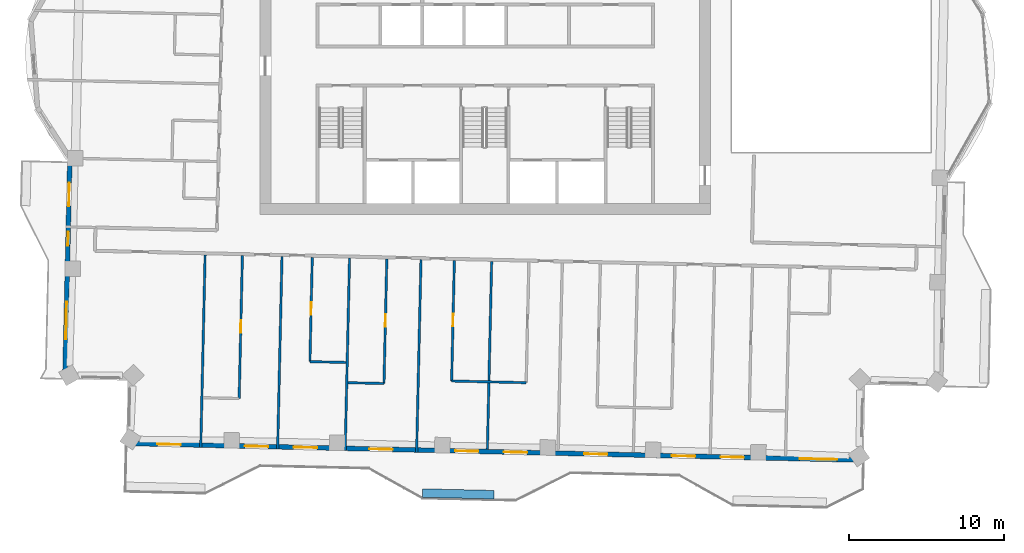
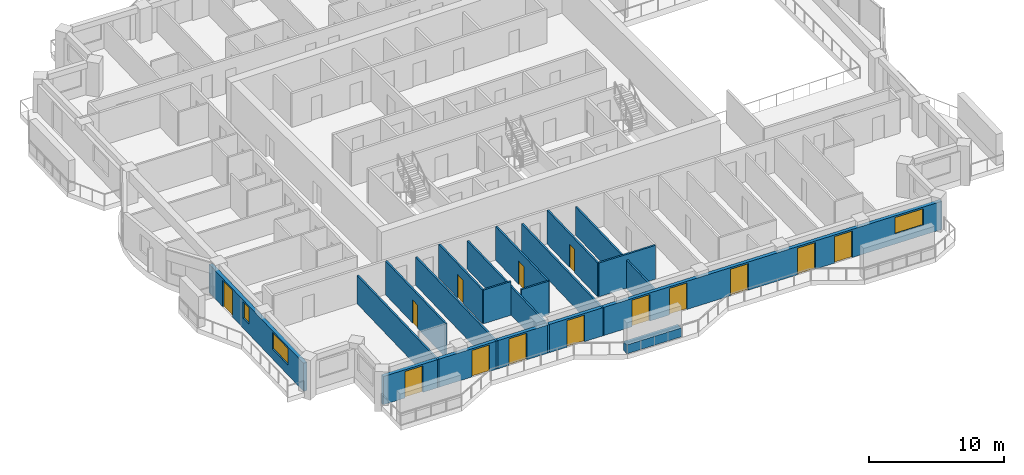
# One storey, part 6 of 17: 15 walls, 14 doors, 3 windows, 17 openings.
"""IFC4 building model written with IfcOpenShell, lengths in metres."""

import ifcopenshell
import ifcopenshell.guid

model = None  # the IFC model being written
_history = None  # IfcOwnerHistory: only IFC2X3 demands one
_inside = {}  # id of a spatial element -> (the spatial element, [elements in it])
_under = {}  # id of a project, library or spatial element -> (it, [spatial elements below it])
_declared = {}  # id of a project -> (the project, [libraries it declares])
_typed = {}  # id of a type object -> (the type object, [elements of that type])
_made_of = {}  # id of a material, layer set ... -> (it, [elements and type objects made of it])


def new_model(schema):
    """Start an empty IFC model of exactly this schema.

    Asked for "IFC4X3", IfcOpenShell would pick the latest addendum, in which some entities
    have other attributes; the version numbers below select the first issue.
    IFC2X3 requires an IfcOwnerHistory on every rooted entity: one is made here for all.
    """
    global model, _history
    if schema == "IFC4X3":
        model = ifcopenshell.file(schema_version=(4, 3, 0, 0))
    else:
        model = ifcopenshell.file(schema=schema)
    _inside.clear()
    _under.clear()
    _declared.clear()
    _typed.clear()
    _made_of.clear()
    _history = None
    if model.schema == "IFC2X3":
        org = make("IfcOrganization", Name="unknown")
        user = make(
            "IfcPersonAndOrganization",
            ThePerson=make("IfcPerson", FamilyName="unknown"),
            TheOrganization=org,
        )
        app = make(
            "IfcApplication",
            ApplicationDeveloper=org,
            Version="unknown",
            ApplicationFullName="unknown",
            ApplicationIdentifier="unknown",
        )
        _history = make(
            "IfcOwnerHistory",
            OwningUser=user,
            OwningApplication=app,
            ChangeAction="ADDED",
            CreationDate=0,
        )
    return model


def make(cls, **values):
    """One entity of the class cls with the attributes given. An attribute that is None is left unset."""
    return model.create_entity(
        cls, **{name: value for name, value in values.items() if value is not None}
    )


def rooted(cls, **values):
    """An entity with a GlobalId (a new one), such as an element, a storey or a relation."""
    return make(cls, GlobalId=ifcopenshell.guid.new(), OwnerHistory=_history, **values)


def si_unit(unit_type, name, prefix=None):
    """IfcSIUnit, for example si_unit("LENGTHUNIT", "METRE", prefix="MILLI")."""
    return make("IfcSIUnit", UnitType=unit_type, Prefix=prefix, Name=name)


def assignment(units):
    """IfcUnitAssignment: the units of a project."""
    return None if units is None else make("IfcUnitAssignment", Units=units)


def point(xyz):
    """IfcCartesianPoint."""
    return None if xyz is None else make("IfcCartesianPoint", Coordinates=xyz)


def direction(xyz):
    """IfcDirection."""
    return None if xyz is None else make("IfcDirection", DirectionRatios=xyz)


def frame(location, z_axis=None, x_axis=None):
    """IfcAxis2Placement3D, a coordinate frame: its origin and axes. An axis left out is left unset."""
    return make(
        "IfcAxis2Placement3D",
        Location=point(location),
        Axis=direction(z_axis),
        RefDirection=direction(x_axis),
    )


def frame_2d(location, x_axis=None):
    """IfcAxis2Placement2D, a coordinate frame in the plane: its origin and x axis."""
    return make(
        "IfcAxis2Placement2D", Location=point(location), RefDirection=direction(x_axis)
    )


def origin():
    """The frame at (0, 0, 0) with its axes left unset."""
    return frame((0.0, 0.0, 0.0))


def place(relative_to, where):
    """IfcLocalPlacement: puts the frame where relative to a parent placement (None: the world)."""
    return make(
        "IfcLocalPlacement", PlacementRelTo=relative_to, RelativePlacement=where
    )


def context(
    kind, dimensions, precision=None, world=None, true_north=None, identifier=None
):
    """IfcGeometricRepresentationContext, for example the 3D "Model" context."""
    return make(
        "IfcGeometricRepresentationContext",
        ContextIdentifier=identifier,
        ContextType=kind,
        CoordinateSpaceDimension=dimensions,
        Precision=precision,
        WorldCoordinateSystem=world,
        TrueNorth=true_north,
    )


def subcontext(parent, identifier, kind, view, scale=None):
    """IfcGeometricRepresentationSubContext, for example "Body" below "Model"."""
    return make(
        "IfcGeometricRepresentationSubContext",
        ContextIdentifier=identifier,
        ContextType=kind,
        ParentContext=parent,
        TargetScale=scale,
        TargetView=view,
    )


def project(units=None, contexts=None):
    """IfcProject with its units and contexts."""
    return rooted(
        "IfcProject",
        Name="project",
        RepresentationContexts=contexts,
        UnitsInContext=assignment(units),
    )


def spatial(cls, under=None, at=None, **own):
    """A site, building, storey or space (cls), placed at a placement, below another one or the project."""
    s = rooted(cls, ObjectPlacement=at, **own)
    if under is not None:
        _under.setdefault(under.id(), (under, []))[1].append(s)
    return s


def profile(cls, at=None, kind="AREA", **sizes):
    """A parametric profile (cls). Its sizes go by their IFC names, for example OverallWidth=200.0."""
    return make(cls, ProfileType=kind, Position=at, **sizes)


def rectangle(**sizes):
    """IfcRectangleProfileDef."""
    return profile("IfcRectangleProfileDef", **sizes)


def extrude(swept, where, along, depth):
    """IfcExtrudedAreaSolid: the profile swept, set in the frame where, extruded along a direction by depth."""
    return make(
        "IfcExtrudedAreaSolid",
        SweptArea=swept,
        Position=where,
        ExtrudedDirection=direction(along),
        Depth=depth,
    )


def shape(context_of_items, identifier, shape_type, items):
    """IfcShapeRepresentation: the items that make up one representation, for example the "Body"."""
    return make(
        "IfcShapeRepresentation",
        ContextOfItems=context_of_items,
        RepresentationIdentifier=identifier,
        RepresentationType=shape_type,
        Items=items,
    )


def material(Name=None, Category=None):
    """IfcMaterial."""
    return make("IfcMaterial", Name=Name, Category=Category)


def layer(
    of_material, thickness, ventilated=None, Name=None, Category=None, Priority=None
):
    """IfcMaterialLayer: one layer of a wall or slab, of a material (None: an air gap)."""
    return make(
        "IfcMaterialLayer",
        Material=of_material,
        LayerThickness=thickness,
        IsVentilated=ventilated,
        Name=Name,
        Category=Category,
        Priority=Priority,
    )


def layer_set(layers, Name=None):
    """IfcMaterialLayerSet."""
    return make("IfcMaterialLayerSet", MaterialLayers=layers, LayerSetName=Name)


def made_of(thing, what):
    """Note that an element or type object is made of a material, layer set ...; save() writes the relation."""
    if what is not None:
        _made_of.setdefault(what.id(), (what, []))[1].append(thing)
    return thing


def type_object(cls, material=None, **own):
    """A type object (cls), such as IfcWallType, which elements share."""
    return made_of(rooted(cls, **own), material)


def element(
    cls,
    number,
    at=None,
    inside=None,
    cuts=None,
    type_object=None,
    material=None,
    context=None,
    identifier="Body",
    shape_type=None,
    held_by="IfcProductDefinitionShape",
    body=None,
    shapes=None,
    **own,
):
    """One element of the class cls, such as IfcWall. Its Tag is "e" and its number.

    at: its placement. inside: the storey or other place that contains it. cuts: it is an
    opening in that element (IfcRelVoidsElement). A single representation is given by context,
    identifier, shape_type and body (its items); several are given by shapes. held_by: the class
    of the entity that holds the representations. save() writes the other relations.
    """
    e = rooted(cls, Tag="e%d" % number, ObjectPlacement=at, **own)
    if body is not None:
        shapes = [shape(context, identifier, shape_type, body)]
    if shapes is not None:
        e.Representation = make(held_by, Representations=shapes)
    if inside is not None:
        _inside.setdefault(inside.id(), (inside, []))[1].append(e)
    if cuts is not None:
        rooted(
            "IfcRelVoidsElement", RelatingBuildingElement=cuts, RelatedOpeningElement=e
        )
    if type_object is not None:
        _typed.setdefault(type_object.id(), (type_object, []))[1].append(e)
    return made_of(e, material)


def fill(opening, filler):
    """IfcRelFillsElement: the door or window that sits in an opening."""
    return rooted(
        "IfcRelFillsElement",
        RelatingOpeningElement=opening,
        RelatedBuildingElement=filler,
    )


def aggregate(whole, parts):
    """IfcRelAggregates: a whole, such as a stair, and the parts it consists of."""
    return rooted("IfcRelAggregates", RelatingObject=whole, RelatedObjects=parts)


def save(model, path):
    """Write the relations noted so far, then the file.

    IfcRelAggregates (storeys below a building ...), IfcRelContainedInSpatialStructure (elements
    in a storey), IfcRelDefinesByType, IfcRelAssociatesMaterial and IfcRelDeclares: one each for
    every whole, place, type object, material and project.
    """
    for whole, parts in _under.values():
        aggregate(whole, parts)
    for where, things in _inside.values():
        rooted(
            "IfcRelContainedInSpatialStructure",
            RelatedElements=things,
            RelatingStructure=where,
        )
    for kind, things in _typed.values():
        rooted("IfcRelDefinesByType", RelatedObjects=things, RelatingType=kind)
    for what, things in _made_of.values():
        rooted("IfcRelAssociatesMaterial", RelatedObjects=things, RelatingMaterial=what)
    for by, libraries in _declared.values():
        rooted("IfcRelDeclares", RelatingContext=by, RelatedDefinitions=libraries)
    model.write(path)


model = new_model("IFC4")

# Units and contexts
model_context = context("Model", 3, precision=1e-05, world=origin(), true_north=direction((0.0, 1.0)))
body_context = subcontext(model_context, "Body", "Model", "MODEL_VIEW")
ifc_project = project(units=[si_unit("LENGTHUNIT", "METRE"), si_unit("AREAUNIT", "SQUARE_METRE"), si_unit("VOLUMEUNIT", "CUBIC_METRE"), si_unit("PLANEANGLEUNIT", "RADIAN"), si_unit("MASSUNIT", "GRAM", prefix="KILO")], contexts=[model_context])

# Site, building, storey
site_placement = place(None, origin())
site = spatial("IfcSite", under=ifc_project, at=site_placement, CompositionType="ELEMENT")
building_placement = place(site_placement, origin())
building = spatial("IfcBuilding", under=site, at=building_placement, Name="Mangrove Gate Tower", CompositionType="ELEMENT")
storey_placement = place(building_placement, frame((0.0, 0.0, 268.10009765625)))
storey = spatial("IfcBuildingStorey", under=building, at=storey_placement, Name="L68", CompositionType="ELEMENT", Elevation=268.10009765625)

# Wall, openings, door, windows
ifc_material_1 = material(Name="Limestone", Category="masonry")
ifc_layer_1 = layer(ifc_material_1, 0.0400390625, Name="Limestone cladding")
ifc_material_2 = material(Name="Ventilated air gap")
ifc_layer_2 = layer(ifc_material_2, 0.0400390625, Name="Ventilated cavity")
ifc_material_3 = material(Name="Mineral wool insulation")
ifc_layer_3 = layer(ifc_material_3, 0.06005859375, Name="Insulation")
ifc_material_4 = material(Name="Breather membrane")
ifc_layer_4 = layer(ifc_material_4, 0.001953125, Name="Breather membrane")
ifc_material_5 = material(Name="Concrete C20/25 blockwork", Category="masonry")
ifc_layer_5 = layer(ifc_material_5, 0.14990234375, Name="Blockwork backing wall")
ifc_material_6 = material(Name="Gypsum plaster")
ifc_layer_6 = layer(ifc_material_6, 0.008056640625, Name="Internal plaster")
ifc_layer_set_1 = layer_set([ifc_layer_1, ifc_layer_2, ifc_layer_3, ifc_layer_4, ifc_layer_5, ifc_layer_6], Name="External wall 300 limestone cladding")
wall_type_1 = type_object("IfcWallType", Name="External wall 300 limestone cladding", PredefinedType="SOLIDWALL", material=ifc_layer_set_1)
wall_1_placement = place(storey_placement, frame((-26.722900390625, -7.385009765625, 0.0), z_axis=(0.0, 0.0, 1.0), x_axis=(-0.022715697396, -0.999741965255, 0.0)))
wall_1 = element("IfcWall", 1, at=wall_1_placement, inside=storey, type_object=wall_type_1, Name="WALL-L68-W10s1", PredefinedType="SOLIDWALL", context=body_context, shape_type="SweptSolid", body=[
    extrude(rectangle(XDim=14.57373046875, YDim=0.300048828125, at=frame_2d((7.286865234375, 0.0))), origin(), (0.0, 0.0, 1.0), 2.5498046875),
])
opening_1_placement = place(wall_1_placement, frame((2.0869140625, 0.0, 0.0)))
opening_1 = element("IfcOpeningElement", 2, at=opening_1_placement, cuts=wall_1, Name="Opening BD1", PredefinedType="OPENING", context=body_context, shape_type="SweptSolid", body=[
    extrude(rectangle(XDim=1.5, YDim=2.39990234375, at=frame_2d((0.75, 1.199951171875))), frame((0.0, 0.159912109375, 0.0), z_axis=(0.0, -1.0, 0.0), x_axis=(1.0, 0.0, 0.0)), (0.0, 0.0, 1.0), 0.320068359375),
])
opening_2_placement = place(wall_1_placement, frame((5.22412109375, 0.0, 0.89990234375)))
opening_2 = element("IfcOpeningElement", 3, at=opening_2_placement, cuts=wall_1, Name="Opening W5", PredefinedType="OPENING", context=body_context, shape_type="SweptSolid", body=[
    extrude(rectangle(XDim=0.89990234375, YDim=1.5, at=frame_2d((0.449951171875, 0.75))), frame((0.0, 0.159912109375, 0.0), z_axis=(0.0, -1.0, 0.0), x_axis=(1.0, 0.0, 0.0)), (0.0, 0.0, 1.0), 0.320068359375),
])
opening_3_placement = place(wall_1_placement, frame((9.7490234375, 0.0, 0.89990234375)))
opening_3 = element("IfcOpeningElement", 4, at=opening_3_placement, cuts=wall_1, Name="Opening W2", PredefinedType="OPENING", context=body_context, shape_type="SweptSolid", body=[
    extrude(rectangle(XDim=2.39990234375, YDim=1.5, at=frame_2d((1.199951171875, 0.75))), frame((0.0, 0.159912109375, 0.0), z_axis=(0.0, -1.0, 0.0), x_axis=(1.0, 0.0, 0.0)), (0.0, 0.0, 1.0), 0.320068359375),
])
ifc_material_7 = material(Name="Aluminium frame with laminated clear glass", Category="aluminium")
door_type_1 = type_object("IfcDoorType", Name="Balcony sliding door 1500x2400", OperationType="SLIDING_TO_LEFT", PredefinedType="DOOR", material=ifc_material_7)
door_1_placement = place(opening_1_placement, origin())
door_1 = element("IfcDoor", 5, at=door_1_placement, inside=storey, type_object=door_type_1, Name="DOOR-L68-W10-1", OperationType="SLIDING_TO_LEFT", OverallHeight=2.39990234375, OverallWidth=1.5, PredefinedType="DOOR", context=body_context, shape_type="SweptSolid", body=[
    extrude(rectangle(XDim=1.5, YDim=2.39990234375, at=frame_2d((0.75, 1.199951171875))), frame((0.0, 0.02490234375, 0.0), z_axis=(0.0, -1.0, 0.0), x_axis=(1.0, 0.0, 0.0)), (0.0, 0.0, 1.0), 0.050048828125),
])
fill(opening_1, door_1)
ifc_material_8 = material(Name="Aluminium frame with double-glazed low-e glass", Category="aluminium")
window_type_1 = type_object("IfcWindowType", Name="Corner room window 2400x1500", PartitioningType="DOUBLE_PANEL_VERTICAL", PredefinedType="WINDOW", material=ifc_material_8)
window_1_placement = place(opening_3_placement, origin())
window_1 = element("IfcWindow", 6, at=window_1_placement, inside=storey, type_object=window_type_1, Name="WIN-L68-W10-3", OverallHeight=1.5, OverallWidth=2.39990234375, PartitioningType="DOUBLE_PANEL_VERTICAL", PredefinedType="WINDOW", context=body_context, shape_type="SweptSolid", body=[
    extrude(rectangle(XDim=2.39990234375, YDim=1.5, at=frame_2d((1.199951171875, 0.75))), frame((0.0, 0.030029296875, 0.0), z_axis=(0.0, -1.0, 0.0), x_axis=(1.0, 0.0, 0.0)), (0.0, 0.0, 1.0), 0.06005859375),
])
fill(opening_3, window_1)
ifc_material_9 = material(Name="Aluminium frame with double-glazed low-e glass", Category="aluminium")
window_type_2 = type_object("IfcWindowType", Name="Narrow window 900x1500", PartitioningType="SINGLE_PANEL", PredefinedType="WINDOW", material=ifc_material_9)
window_2_placement = place(opening_2_placement, origin())
window_2 = element("IfcWindow", 7, at=window_2_placement, inside=storey, type_object=window_type_2, Name="WIN-L68-W10-2", OverallHeight=1.5, OverallWidth=0.89990234375, PartitioningType="SINGLE_PANEL", PredefinedType="WINDOW", context=body_context, shape_type="SweptSolid", body=[
    extrude(rectangle(XDim=0.89990234375, YDim=1.5, at=frame_2d((0.449951171875, 0.75))), frame((0.0, 0.030029296875, 0.0), z_axis=(0.0, -1.0, 0.0), x_axis=(1.0, 0.0, 0.0)), (0.0, 0.0, 1.0), 0.06005859375),
])
fill(opening_2, window_2)

# Wall, openings, doors, window
wall_2_placement = place(storey_placement, frame((-22.949951171875, -26.2490234375, 0.0), z_axis=(0.0, 0.0, 1.0), x_axis=(0.999742196137, -0.022705533743, 0.0)))
wall_2 = element("IfcWall", 8, at=wall_2_placement, inside=storey, type_object=wall_type_1, Name="WALL-L68-S13", PredefinedType="SOLIDWALL", context=body_context, shape_type="SweptSolid", body=[
    extrude(rectangle(XDim=47.171142578125, YDim=0.300048828125, at=frame_2d((23.58544921875, 0.0))), origin(), (0.0, 0.0, 1.0), 2.5498046875),
])
opening_4_placement = place(wall_2_placement, frame((1.85107421875, 0.0, 0.0)))
opening_4 = element("IfcOpeningElement", 9, at=opening_4_placement, cuts=wall_2, Name="Opening BD1", PredefinedType="OPENING", context=body_context, shape_type="SweptSolid", body=[
    extrude(rectangle(XDim=1.5, YDim=2.39990234375, at=frame_2d((0.75, 1.199951171875))), frame((0.0, 0.159912109375, 0.0), z_axis=(0.0, -1.0, 0.0), x_axis=(1.0, 0.0, 0.0)), (0.0, 0.0, 1.0), 0.320068359375),
])
opening_5_placement = place(wall_2_placement, frame((7.490966796875, 0.0, 0.0)))
opening_5 = element("IfcOpeningElement", 10, at=opening_5_placement, cuts=wall_2, Name="Opening BD1", PredefinedType="OPENING", context=body_context, shape_type="SweptSolid", body=[
    extrude(rectangle(XDim=1.5, YDim=2.39990234375, at=frame_2d((0.75, 1.199951171875))), frame((0.0, 0.159912109375, 0.0), z_axis=(0.0, -1.0, 0.0), x_axis=(1.0, 0.0, 0.0)), (0.0, 0.0, 1.0), 0.320068359375),
])
opening_6_placement = place(wall_2_placement, frame((10.632080078125, 0.0, 0.0)))
opening_6 = element("IfcOpeningElement", 11, at=opening_6_placement, cuts=wall_2, Name="Opening BD1", PredefinedType="OPENING", context=body_context, shape_type="SweptSolid", body=[
    extrude(rectangle(XDim=1.5, YDim=2.39990234375, at=frame_2d((0.75, 1.199951171875))), frame((0.0, 0.159912109375, 0.0), z_axis=(0.0, -1.0, 0.0), x_axis=(1.0, 0.0, 0.0)), (0.0, 0.0, 1.0), 0.320068359375),
])
opening_7_placement = place(wall_2_placement, frame((15.5, 0.0, 0.0)))
opening_7 = element("IfcOpeningElement", 12, at=opening_7_placement, cuts=wall_2, Name="Opening BD1", PredefinedType="OPENING", context=body_context, shape_type="SweptSolid", body=[
    extrude(rectangle(XDim=1.5, YDim=2.39990234375, at=frame_2d((0.75, 1.199951171875))), frame((0.0, 0.159912109375, 0.0), z_axis=(0.0, -1.0, 0.0), x_axis=(1.0, 0.0, 0.0)), (0.0, 0.0, 1.0), 0.320068359375),
])
opening_8_placement = place(wall_2_placement, frame((21.02197265625, 0.0, 0.0)))
opening_8 = element("IfcOpeningElement", 13, at=opening_8_placement, cuts=wall_2, Name="Opening BD1", PredefinedType="OPENING", context=body_context, shape_type="SweptSolid", body=[
    extrude(rectangle(XDim=1.5, YDim=2.39990234375, at=frame_2d((0.75, 1.199951171875))), frame((0.0, 0.159912109375, 0.0), z_axis=(0.0, -1.0, 0.0), x_axis=(1.0, 0.0, 0.0)), (0.0, 0.0, 1.0), 0.320068359375),
])
opening_9_placement = place(wall_2_placement, frame((24.1630859375, 0.0, 0.0)))
opening_9 = element("IfcOpeningElement", 14, at=opening_9_placement, cuts=wall_2, Name="Opening BD1", PredefinedType="OPENING", context=body_context, shape_type="SweptSolid", body=[
    extrude(rectangle(XDim=1.5, YDim=2.39990234375, at=frame_2d((0.75, 1.199951171875))), frame((0.0, 0.159912109375, 0.0), z_axis=(0.0, -1.0, 0.0), x_axis=(1.0, 0.0, 0.0)), (0.0, 0.0, 1.0), 0.320068359375),
])
opening_10_placement = place(wall_2_placement, frame((29.324951171875, 0.0, 0.0)))
opening_10 = element("IfcOpeningElement", 15, at=opening_10_placement, cuts=wall_2, Name="Opening BD1", PredefinedType="OPENING", context=body_context, shape_type="SweptSolid", body=[
    extrude(rectangle(XDim=1.5, YDim=2.39990234375, at=frame_2d((0.75, 1.199951171875))), frame((0.0, 0.159912109375, 0.0), z_axis=(0.0, -1.0, 0.0), x_axis=(1.0, 0.0, 0.0)), (0.0, 0.0, 1.0), 0.320068359375),
])
opening_11_placement = place(wall_2_placement, frame((34.97900390625, 0.0, 0.0)))
opening_11 = element("IfcOpeningElement", 16, at=opening_11_placement, cuts=wall_2, Name="Opening BD1", PredefinedType="OPENING", context=body_context, shape_type="SweptSolid", body=[
    extrude(rectangle(XDim=1.5, YDim=2.39990234375, at=frame_2d((0.75, 1.199951171875))), frame((0.0, 0.159912109375, 0.0), z_axis=(0.0, -1.0, 0.0), x_axis=(1.0, 0.0, 0.0)), (0.0, 0.0, 1.0), 0.320068359375),
])
opening_12_placement = place(wall_2_placement, frame((38.1201171875, 0.0, 0.0)))
opening_12 = element("IfcOpeningElement", 17, at=opening_12_placement, cuts=wall_2, Name="Opening BD1", PredefinedType="OPENING", context=body_context, shape_type="SweptSolid", body=[
    extrude(rectangle(XDim=1.5, YDim=2.39990234375, at=frame_2d((0.75, 1.199951171875))), frame((0.0, 0.159912109375, 0.0), z_axis=(0.0, -1.0, 0.0), x_axis=(1.0, 0.0, 0.0)), (0.0, 0.0, 1.0), 0.320068359375),
])
opening_13_placement = place(wall_2_placement, frame((43.212890625, 0.0, 0.89990234375)))
opening_13 = element("IfcOpeningElement", 18, at=opening_13_placement, cuts=wall_2, Name="Opening W2", PredefinedType="OPENING", context=body_context, shape_type="SweptSolid", body=[
    extrude(rectangle(XDim=2.39990234375, YDim=1.5, at=frame_2d((1.199951171875, 0.75))), frame((0.0, 0.159912109375, 0.0), z_axis=(0.0, -1.0, 0.0), x_axis=(1.0, 0.0, 0.0)), (0.0, 0.0, 1.0), 0.320068359375),
])
door_2_placement = place(opening_4_placement, origin())
door_2 = element("IfcDoor", 19, at=door_2_placement, inside=storey, type_object=door_type_1, Name="DOOR-L68-S13-1", OperationType="SLIDING_TO_LEFT", OverallHeight=2.39990234375, OverallWidth=1.5, PredefinedType="DOOR", context=body_context, shape_type="SweptSolid", body=[
    extrude(rectangle(XDim=1.5, YDim=2.39990234375, at=frame_2d((0.75, 1.199951171875))), frame((0.0, 0.02490234375, 0.0), z_axis=(0.0, -1.0, 0.0), x_axis=(1.0, 0.0, 0.0)), (0.0, 0.0, 1.0), 0.050048828125),
])
fill(opening_4, door_2)
door_3_placement = place(opening_5_placement, origin())
door_3 = element("IfcDoor", 20, at=door_3_placement, inside=storey, type_object=door_type_1, Name="DOOR-L68-S13-2", OperationType="SLIDING_TO_LEFT", OverallHeight=2.39990234375, OverallWidth=1.5, PredefinedType="DOOR", context=body_context, shape_type="SweptSolid", body=[
    extrude(rectangle(XDim=1.5, YDim=2.39990234375, at=frame_2d((0.75, 1.199951171875))), frame((0.0, 0.02490234375, 0.0), z_axis=(0.0, -1.0, 0.0), x_axis=(1.0, 0.0, 0.0)), (0.0, 0.0, 1.0), 0.050048828125),
])
fill(opening_5, door_3)
door_4_placement = place(opening_6_placement, origin())
door_4 = element("IfcDoor", 21, at=door_4_placement, inside=storey, type_object=door_type_1, Name="DOOR-L68-S13-3", OperationType="SLIDING_TO_LEFT", OverallHeight=2.39990234375, OverallWidth=1.5, PredefinedType="DOOR", context=body_context, shape_type="SweptSolid", body=[
    extrude(rectangle(XDim=1.5, YDim=2.39990234375, at=frame_2d((0.75, 1.199951171875))), frame((0.0, 0.02490234375, 0.0), z_axis=(0.0, -1.0, 0.0), x_axis=(1.0, 0.0, 0.0)), (0.0, 0.0, 1.0), 0.050048828125),
])
fill(opening_6, door_4)
door_5_placement = place(opening_7_placement, origin())
door_5 = element("IfcDoor", 22, at=door_5_placement, inside=storey, type_object=door_type_1, Name="DOOR-L68-S13-4", OperationType="SLIDING_TO_LEFT", OverallHeight=2.39990234375, OverallWidth=1.5, PredefinedType="DOOR", context=body_context, shape_type="SweptSolid", body=[
    extrude(rectangle(XDim=1.5, YDim=2.39990234375, at=frame_2d((0.75, 1.199951171875))), frame((0.0, 0.02490234375, 0.0), z_axis=(0.0, -1.0, 0.0), x_axis=(1.0, 0.0, 0.0)), (0.0, 0.0, 1.0), 0.050048828125),
])
fill(opening_7, door_5)
door_6_placement = place(opening_8_placement, origin())
door_6 = element("IfcDoor", 23, at=door_6_placement, inside=storey, type_object=door_type_1, Name="DOOR-L68-S13-5", OperationType="SLIDING_TO_LEFT", OverallHeight=2.39990234375, OverallWidth=1.5, PredefinedType="DOOR", context=body_context, shape_type="SweptSolid", body=[
    extrude(rectangle(XDim=1.5, YDim=2.39990234375, at=frame_2d((0.75, 1.199951171875))), frame((0.0, 0.02490234375, 0.0), z_axis=(0.0, -1.0, 0.0), x_axis=(1.0, 0.0, 0.0)), (0.0, 0.0, 1.0), 0.050048828125),
])
fill(opening_8, door_6)
door_7_placement = place(opening_9_placement, origin())
door_7 = element("IfcDoor", 24, at=door_7_placement, inside=storey, type_object=door_type_1, Name="DOOR-L68-S13-6", OperationType="SLIDING_TO_LEFT", OverallHeight=2.39990234375, OverallWidth=1.5, PredefinedType="DOOR", context=body_context, shape_type="SweptSolid", body=[
    extrude(rectangle(XDim=1.5, YDim=2.39990234375, at=frame_2d((0.75, 1.199951171875))), frame((0.0, 0.02490234375, 0.0), z_axis=(0.0, -1.0, 0.0), x_axis=(1.0, 0.0, 0.0)), (0.0, 0.0, 1.0), 0.050048828125),
])
fill(opening_9, door_7)
door_8_placement = place(opening_10_placement, origin())
door_8 = element("IfcDoor", 25, at=door_8_placement, inside=storey, type_object=door_type_1, Name="DOOR-L68-S13-7", OperationType="SLIDING_TO_LEFT", OverallHeight=2.39990234375, OverallWidth=1.5, PredefinedType="DOOR", context=body_context, shape_type="SweptSolid", body=[
    extrude(rectangle(XDim=1.5, YDim=2.39990234375, at=frame_2d((0.75, 1.199951171875))), frame((0.0, 0.02490234375, 0.0), z_axis=(0.0, -1.0, 0.0), x_axis=(1.0, 0.0, 0.0)), (0.0, 0.0, 1.0), 0.050048828125),
])
fill(opening_10, door_8)
door_9_placement = place(opening_11_placement, origin())
door_9 = element("IfcDoor", 26, at=door_9_placement, inside=storey, type_object=door_type_1, Name="DOOR-L68-S13-8", OperationType="SLIDING_TO_LEFT", OverallHeight=2.39990234375, OverallWidth=1.5, PredefinedType="DOOR", context=body_context, shape_type="SweptSolid", body=[
    extrude(rectangle(XDim=1.5, YDim=2.39990234375, at=frame_2d((0.75, 1.199951171875))), frame((0.0, 0.02490234375, 0.0), z_axis=(0.0, -1.0, 0.0), x_axis=(1.0, 0.0, 0.0)), (0.0, 0.0, 1.0), 0.050048828125),
])
fill(opening_11, door_9)
door_10_placement = place(opening_12_placement, origin())
door_10 = element("IfcDoor", 27, at=door_10_placement, inside=storey, type_object=door_type_1, Name="DOOR-L68-S13-9", OperationType="SLIDING_TO_LEFT", OverallHeight=2.39990234375, OverallWidth=1.5, PredefinedType="DOOR", context=body_context, shape_type="SweptSolid", body=[
    extrude(rectangle(XDim=1.5, YDim=2.39990234375, at=frame_2d((0.75, 1.199951171875))), frame((0.0, 0.02490234375, 0.0), z_axis=(0.0, -1.0, 0.0), x_axis=(1.0, 0.0, 0.0)), (0.0, 0.0, 1.0), 0.050048828125),
])
fill(opening_12, door_10)
window_3_placement = place(opening_13_placement, origin())
window_3 = element("IfcWindow", 28, at=window_3_placement, inside=storey, type_object=window_type_1, Name="WIN-L68-S13-10", OverallHeight=1.5, OverallWidth=2.39990234375, PartitioningType="DOUBLE_PANEL_VERTICAL", PredefinedType="WINDOW", context=body_context, shape_type="SweptSolid", body=[
    extrude(rectangle(XDim=2.39990234375, YDim=1.5, at=frame_2d((1.199951171875, 0.75))), frame((0.0, 0.030029296875, 0.0), z_axis=(0.0, -1.0, 0.0), x_axis=(1.0, 0.0, 0.0)), (0.0, 0.0, 1.0), 0.06005859375),
])
fill(opening_13, window_3)

# Walls
ifc_material_10 = material(Name="Gypsum board on steel stud, EI 60", Category="steel")
ifc_layer_7 = layer(ifc_material_10, 0.14990234375)
ifc_layer_set_2 = layer_set([ifc_layer_7], Name="Party wall 150 EI 60")
wall_type_2 = type_object("IfcWallType", Name="Party wall 150 EI 60", PredefinedType="PARTITIONING", material=ifc_layer_set_2)
for number, where, z_axis, x_axis, name in (
    (29, (-18.30908203125, -26.5048828125, 0.0), (0.0, 0.0, 1.0), (0.022661475803, 0.999743195783, 0.0), "WALL-L68-001"),
    (30, (-13.360107421875, -26.616943359375, 0.0), (0.0, 0.0, 1.0), (0.022661475803, 0.999743195783, 0.0), "WALL-L68-002"),
    (31, (-9.010986328125, -26.716064453125, 0.0), (0.0, 0.0, 1.0), (0.022661475803, 0.999743195783, 0.0), "WALL-L68-003"),
    (32, (-4.4130859375, -26.820068359375, 0.0), (0.0, 0.0, 1.0), (0.022740189192, 0.999741408463, 0.0), "WALL-L68-004"),
):
    element("IfcWall", number, at=place(storey_placement, frame(where, z_axis=z_axis, x_axis=x_axis)), inside=storey, type_object=wall_type_2, Name=name, PredefinedType="PARTITIONING", context=body_context, shape_type="SweptSolid", body=[
        extrude(rectangle(XDim=12.400146484375, YDim=0.14990234375, at=frame_2d((6.2001953125, 0.0))), origin(), (0.0, 0.0, 1.0), 2.5498046875),
    ])
wall_3_placement = place(storey_placement, frame((0.14306640625, -26.623046875, 0.0), z_axis=(0.0, 0.0, 1.0), x_axis=(0.022718655443, 0.999741898039, 0.0)))
element("IfcWall", 33, at=wall_3_placement, inside=storey, type_object=wall_type_2, Name="WALL-L68-005", PredefinedType="PARTITIONING", context=body_context, shape_type="SweptSolid", body=[
    extrude(rectangle(XDim=12.100341796875, YDim=0.14990234375, at=frame_2d((6.05029296875, 0.0))), origin(), (0.0, 0.0, 1.0), 2.5498046875),
])

# Wall, opening, door
wall_4_placement = place(storey_placement, frame((-15.8369140625, -23.360107421875, 0.0), z_axis=(0.0, 0.0, 1.0), x_axis=(0.02271477479, 0.999741986218, 0.0)))
wall_4 = element("IfcWall", 34, at=wall_4_placement, inside=storey, type_object=wall_type_2, Name="WALL-L68-011", PredefinedType="PARTITIONING", context=body_context, shape_type="SweptSolid", body=[
    extrude(rectangle(XDim=9.200439453125, YDim=0.14990234375, at=frame_2d((4.60009765625, 0.0))), origin(), (0.0, 0.0, 1.0), 3.0498046875),
])
opening_14_placement = place(wall_4_placement, frame((4.25, 0.0, 0.0)))
opening_14 = element("IfcOpeningElement", 35, at=opening_14_placement, cuts=wall_4, Name="Opening ED", PredefinedType="OPENING", context=body_context, shape_type="SweptSolid", body=[
    extrude(rectangle(XDim=0.800048828125, YDim=2.10009765625, at=frame_2d((0.39990234375, 1.050048828125))), frame((0.0, 0.0849609375, 0.0), z_axis=(0.0, -1.0, 0.0), x_axis=(1.0, 0.0, 0.0)), (0.0, 0.0, 1.0), 0.169921875),
])
ifc_material_11 = material(Name="Timber door leaf", Category="wood")
door_type_2 = type_object("IfcDoorType", Name="En-suite door 800", OperationType="SINGLE_SWING_LEFT", PredefinedType="DOOR", material=ifc_material_11)
door_11_placement = place(opening_14_placement, origin())
door_11 = element("IfcDoor", 36, at=door_11_placement, inside=storey, type_object=door_type_2, Name="DOOR-L68-ENS-c101", OperationType="SINGLE_SWING_LEFT", OverallHeight=2.10009765625, OverallWidth=0.800048828125, PredefinedType="DOOR", context=body_context, shape_type="SweptSolid", body=[
    extrude(rectangle(XDim=0.800048828125, YDim=2.10009765625, at=frame_2d((0.39990234375, 1.050048828125))), frame((0.0, 0.02490234375, 0.0), z_axis=(0.0, -1.0, 0.0), x_axis=(1.0, 0.0, 0.0)), (0.0, 0.0, 1.0), 0.050048828125),
])
fill(opening_14, door_11)

# Wall
wall_5_placement = place(storey_placement, frame((-8.8330078125, -22.339111328125, 0.0), z_axis=(0.0, 0.0, 1.0), x_axis=(0.999749744571, -0.022370700241, 0.0)))
element("IfcWall", 37, at=wall_5_placement, inside=storey, type_object=wall_type_2, Name="WALL-L68-017", PredefinedType="PARTITIONING", context=body_context, shape_type="SweptSolid", body=[
    extrude(rectangle(XDim=2.324462890625, YDim=0.14990234375, at=frame_2d((1.162109375, 0.0))), origin(), (0.0, 0.0, 1.0), 3.0498046875),
])

# Wall, opening, door
wall_6_placement = place(storey_placement, frame((-6.512939453125, -22.39111328125, 0.0), z_axis=(0.0, 0.0, 1.0), x_axis=(0.022678533363, 0.999742808989, 0.0)))
wall_6 = element("IfcWall", 38, at=wall_6_placement, inside=storey, type_object=wall_type_2, Name="WALL-L68-018", PredefinedType="PARTITIONING", context=body_context, shape_type="SweptSolid", body=[
    extrude(rectangle(XDim=8.02001953125, YDim=0.14990234375, at=frame_2d((4.010009765625, 0.0))), origin(), (0.0, 0.0, 1.0), 3.0498046875),
])
opening_15_placement = place(wall_6_placement, frame((3.659912109375, 0.0, 0.0)))
opening_15 = element("IfcOpeningElement", 39, at=opening_15_placement, cuts=wall_6, Name="Opening ED", PredefinedType="OPENING", context=body_context, shape_type="SweptSolid", body=[
    extrude(rectangle(XDim=0.800048828125, YDim=2.10009765625, at=frame_2d((0.39990234375, 1.050048828125))), frame((0.0, 0.0849609375, 0.0), z_axis=(0.0, -1.0, 0.0), x_axis=(1.0, 0.0, 0.0)), (0.0, 0.0, 1.0), 0.169921875),
])
door_12_placement = place(opening_15_placement, origin())
door_12 = element("IfcDoor", 40, at=door_12_placement, inside=storey, type_object=door_type_2, Name="DOOR-L68-ENS-c103", OperationType="SINGLE_SWING_LEFT", OverallHeight=2.10009765625, OverallWidth=0.800048828125, PredefinedType="DOOR", context=body_context, shape_type="SweptSolid", body=[
    extrude(rectangle(XDim=0.800048828125, YDim=2.10009765625, at=frame_2d((0.39990234375, 1.050048828125))), frame((0.0, 0.02490234375, 0.0), z_axis=(0.0, -1.0, 0.0), x_axis=(1.0, 0.0, 0.0)), (0.0, 0.0, 1.0), 0.050048828125),
])
fill(opening_15, door_12)

wall_7_placement = place(storey_placement, frame((-2.157958984375, -22.22998046875, 0.0), z_axis=(0.0, 0.0, 1.0), x_axis=(0.022683528451, 0.999742695666, 0.0)))
wall_7 = element("IfcWall", 41, at=wall_7_placement, inside=storey, type_object=wall_type_2, Name="WALL-L68-019", PredefinedType="PARTITIONING", context=body_context, shape_type="SweptSolid", body=[
    extrude(rectangle(XDim=7.760009765625, YDim=0.14990234375, at=frame_2d((3.8798828125, 0.0))), origin(), (0.0, 0.0, 1.0), 3.0498046875),
])
opening_16_placement = place(wall_7_placement, frame((3.530029296875, 0.0, 0.0)))
opening_16 = element("IfcOpeningElement", 42, at=opening_16_placement, cuts=wall_7, Name="Opening ED", PredefinedType="OPENING", context=body_context, shape_type="SweptSolid", body=[
    extrude(rectangle(XDim=0.800048828125, YDim=2.10009765625, at=frame_2d((0.39990234375, 1.050048828125))), frame((0.0, 0.0849609375, 0.0), z_axis=(0.0, -1.0, 0.0), x_axis=(1.0, 0.0, 0.0)), (0.0, 0.0, 1.0), 0.169921875),
])
door_13_placement = place(opening_16_placement, origin())
door_13 = element("IfcDoor", 43, at=door_13_placement, inside=storey, type_object=door_type_2, Name="DOOR-L68-ENS-c104", OperationType="SINGLE_SWING_RIGHT", OverallHeight=2.10009765625, OverallWidth=0.800048828125, PredefinedType="DOOR", context=body_context, shape_type="SweptSolid", body=[
    extrude(rectangle(XDim=0.800048828125, YDim=2.10009765625, at=frame_2d((0.39990234375, 1.050048828125))), frame((0.0, 0.02490234375, 0.0), z_axis=(0.0, -1.0, 0.0), x_axis=(1.0, 0.0, 0.0)), (0.0, 0.0, 1.0), 0.050048828125),
])
fill(opening_16, door_13)

# Wall
wall_8_placement = place(storey_placement, frame((-2.154052734375, -22.22998046875, 0.0), z_axis=(0.0, 0.0, 1.0), x_axis=(0.99974154664, -0.022734113616, 0.0)))
element("IfcWall", 44, at=wall_8_placement, inside=storey, type_object=wall_type_2, Name="WALL-L68-020", PredefinedType="PARTITIONING", context=body_context, shape_type="SweptSolid", body=[
    extrude(rectangle(XDim=4.80029296875, YDim=0.14990234375, at=frame_2d((2.400146484375, 0.0))), origin(), (0.0, 0.0, 1.0), 3.0498046875),
])

# Wall, opening, door
wall_9_placement = place(storey_placement, frame((-11.281982421875, -20.98291015625, 0.0), z_axis=(0.0, 0.0, 1.0), x_axis=(0.022776692057, 0.999740577499, 0.0)))
wall_9 = element("IfcWall", 45, at=wall_9_placement, inside=storey, type_object=wall_type_2, Name="WALL-L68-022", PredefinedType="PARTITIONING", context=body_context, shape_type="SweptSolid", body=[
    extrude(rectangle(XDim=6.720703125, YDim=0.14990234375, at=frame_2d((3.3603515625, 0.0))), origin(), (0.0, 0.0, 1.0), 3.0498046875),
])
opening_17_placement = place(wall_9_placement, frame((3.010009765625, 0.0, 0.0)))
opening_17 = element("IfcOpeningElement", 46, at=opening_17_placement, cuts=wall_9, Name="Opening ED", PredefinedType="OPENING", context=body_context, shape_type="SweptSolid", body=[
    extrude(rectangle(XDim=0.800048828125, YDim=2.10009765625, at=frame_2d((0.39990234375, 1.050048828125))), frame((0.0, 0.0849609375, 0.0), z_axis=(0.0, -1.0, 0.0), x_axis=(1.0, 0.0, 0.0)), (0.0, 0.0, 1.0), 0.169921875),
])
door_14_placement = place(opening_17_placement, origin())
door_14 = element("IfcDoor", 47, at=door_14_placement, inside=storey, type_object=door_type_2, Name="DOOR-L68-ENS-c102", OperationType="SINGLE_SWING_RIGHT", OverallHeight=2.10009765625, OverallWidth=0.800048828125, PredefinedType="DOOR", context=body_context, shape_type="SweptSolid", body=[
    extrude(rectangle(XDim=0.800048828125, YDim=2.10009765625, at=frame_2d((0.39990234375, 1.050048828125))), frame((0.0, 0.02490234375, 0.0), z_axis=(0.0, -1.0, 0.0), x_axis=(1.0, 0.0, 0.0)), (0.0, 0.0, 1.0), 0.050048828125),
])
fill(opening_17, door_14)

# Walls
wall_10_placement = place(storey_placement, frame((-11.278076171875, -20.98291015625, 0.0), z_axis=(0.0, 0.0, 1.0), x_axis=(0.999740260747, -0.02279059109, 0.0)))
element("IfcWall", 48, at=wall_10_placement, inside=storey, type_object=wall_type_2, Name="WALL-L68-023", PredefinedType="PARTITIONING", context=body_context, shape_type="SweptSolid", body=[
    extrude(rectangle(XDim=2.324462890625, YDim=0.14990234375, at=frame_2d((1.162109375, 0.0))), origin(), (0.0, 0.0, 1.0), 3.0498046875),
])
ifc_material_12 = material(Name="Concrete C32/40", Category="concrete")
ifc_layer_8 = layer(ifc_material_12, 0.199951171875, Name="Planter trough wall")
ifc_material_13 = material(Name="Bituminous waterproofing membrane")
ifc_layer_9 = layer(ifc_material_13, 0.0048828125, Name="Waterproofing")
ifc_material_14 = material(Name="Drainage board and gravel")
ifc_layer_10 = layer(ifc_material_14, 0.044921875, Name="Drainage layer")
ifc_material_15 = material(Name="Planting soil")
ifc_layer_11 = layer(ifc_material_15, 0.300048828125, Name="Growing medium")
ifc_layer_set_3 = layer_set([ifc_layer_8, ifc_layer_9, ifc_layer_10, ifc_layer_11], Name="Planter wall 550 C32/40")
wall_type_3 = type_object("IfcWallType", Name="Planter wall 550 C32/40", PredefinedType="USERDEFINED", material=ifc_layer_set_3)
wall_11_placement = place(storey_placement, frame((-4.031982421875, -29.444091796875, 0.0), z_axis=(0.0, 0.0, 1.0), x_axis=(0.999739556364, -0.022821468877, 0.0)))
element("IfcWall", 49, at=wall_11_placement, inside=storey, type_object=wall_type_3, Name="PLANTER L68 S0.2", ObjectType="PLANTER", PredefinedType="USERDEFINED", context=body_context, shape_type="SweptSolid", body=[
    extrude(rectangle(XDim=4.60009765625, YDim=0.550048828125, at=frame_2d((2.300048828125, 0.0))), origin(), (0.0, 0.0, 1.0), 0.7998046875),
])

save(model, "model.ifc")
